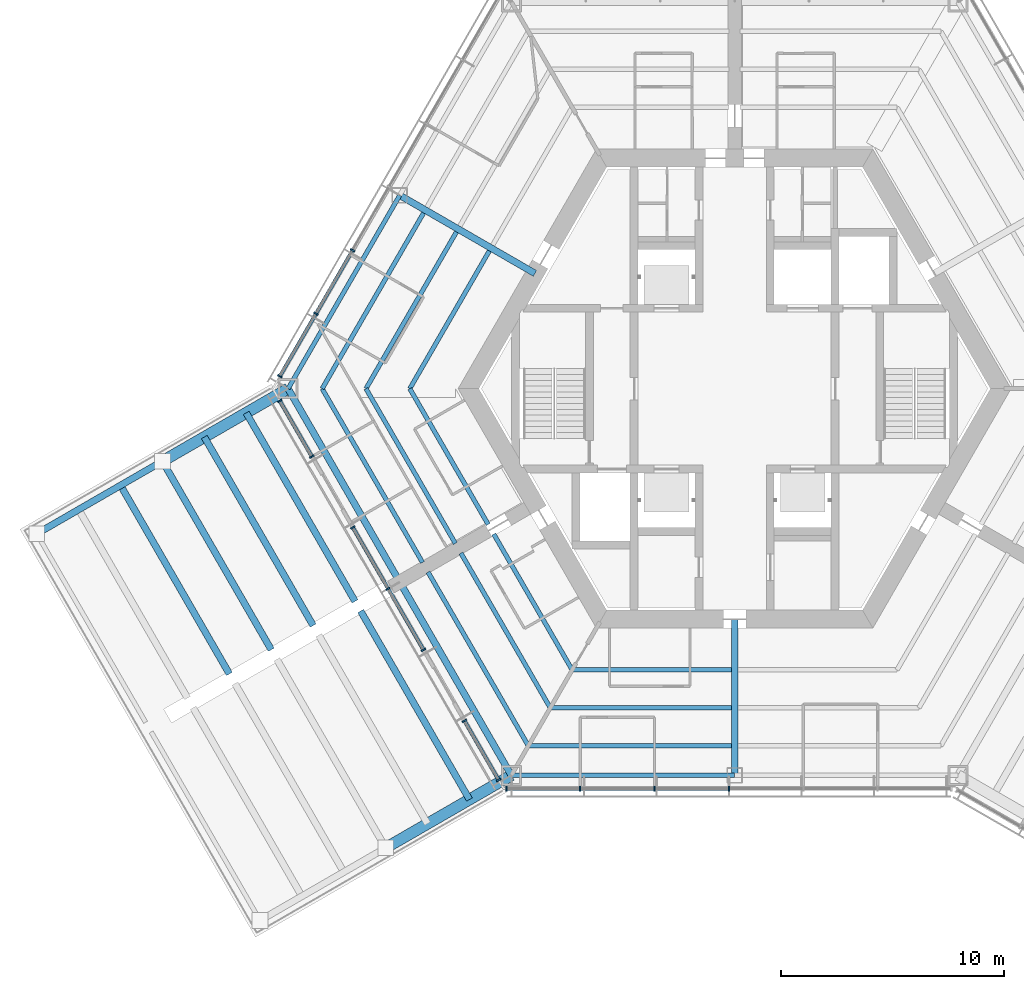
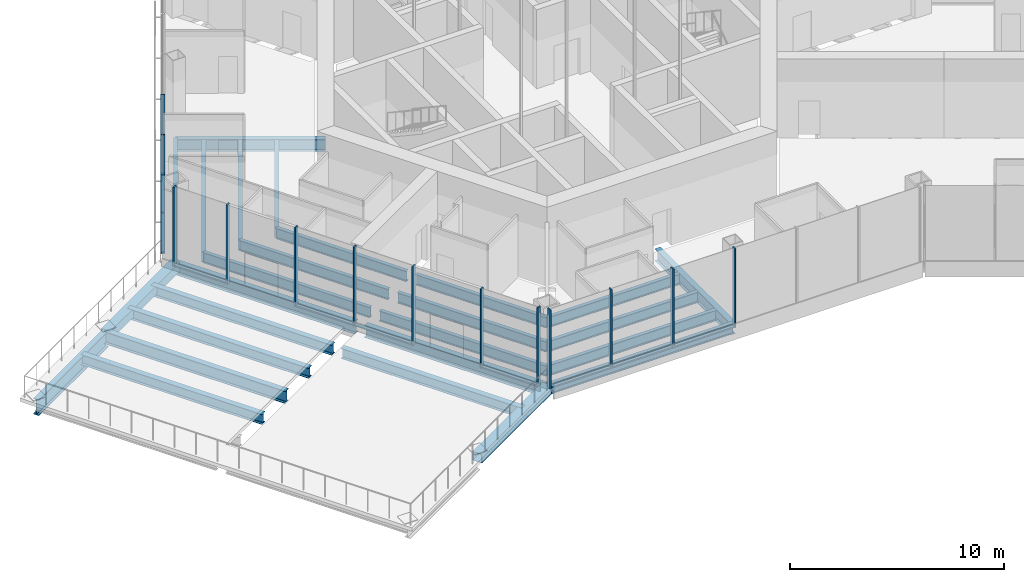
# One storey, part 2 of 17: 26 beams, 23 members, 5 elements without a shape of their own.
"""IFC4 building model written with IfcOpenShell, lengths in metres."""

from ifc_helpers import new_model, si_unit, direction, frame, origin, origin_2d, place, context, subcontext, project, spatial, rectangle, hollow_rectangle, i_section, extrude, material, material_profile, profile_set, type_object, element, aggregate, save


model = new_model("IFC4")

# Units and contexts
model_context = context("Model", 3, precision=1e-05, world=origin(), true_north=direction((0.0, 1.0)))
body_context = subcontext(model_context, "Body", "Model", "MODEL_VIEW")
ifc_project = project(units=[si_unit("LENGTHUNIT", "METRE"), si_unit("AREAUNIT", "SQUARE_METRE"), si_unit("VOLUMEUNIT", "CUBIC_METRE"), si_unit("PLANEANGLEUNIT", "RADIAN"), si_unit("MASSUNIT", "GRAM", prefix="KILO")], contexts=[model_context])

# Site, building, storey
site_placement = place(None, origin())
site = spatial("IfcSite", under=ifc_project, at=site_placement, CompositionType="ELEMENT")
building_placement = place(site_placement, origin())
building = spatial("IfcBuilding", under=site, at=building_placement, Name="Kasaneha Research Tower", CompositionType="ELEMENT")
storey_placement = place(building_placement, frame((0.0, 0.0, 208.300048828125)))
storey = spatial("IfcBuildingStorey", under=building, at=storey_placement, Name="L52", CompositionType="ELEMENT", Elevation=208.300048828125)

# Beams
ifc_material_1 = material(Name="Steel SN490B", Category="steel")
ifc_material_profile_1 = material_profile(ifc_material_1, i_section(OverallWidth=0.199951171875, OverallDepth=0.60009765625, WebThickness=0.010986328125, FlangeThickness=0.01708984375, FilletRadius=0.012939453125, at=origin_2d()), Name="H-600x200x11x17")
ifc_profile_set_1 = profile_set([ifc_material_profile_1], Name="Steel SN490B")
beam_type_1 = type_object("IfcBeamType", Name="B1-4 secondary beam H-600x200x11x17", PredefinedType="JOIST", material=ifc_profile_set_1)
beam_1_placement = place(storey_placement, frame((-14.54931640625, 0.0, -0.5), z_axis=(0.500016104636, 0.866016105569, 0.0), x_axis=(-0.866016105569, 0.500016104636, 0.0)))
element("IfcBeam", 1, at=beam_1_placement, inside=storey, type_object=beam_type_1, Name="Secondary beam RS150R1 L52", PredefinedType="JOIST", context=body_context, shape_type="SweptSolid", body=[
    extrude(i_section(OverallWidth=0.199951171875, OverallDepth=0.60009765625, WebThickness=0.010986328125, FlangeThickness=0.01708984375, FilletRadius=0.012939453125, at=origin_2d()), origin(), (0.0, 0.0, 1.0), 7.124755859375),
])
beam_2_placement = place(storey_placement, frame((-16.51220703125, 0.0, -0.5), z_axis=(0.49999707157, 0.866027094508, 0.0), x_axis=(-0.866027094508, 0.49999707157, 0.0)))
element("IfcBeam", 2, at=beam_2_placement, inside=storey, type_object=beam_type_1, Name="Secondary beam RS150R2 L52", PredefinedType="JOIST", context=body_context, shape_type="SweptSolid", body=[
    extrude(i_section(OverallWidth=0.199951171875, OverallDepth=0.60009765625, WebThickness=0.010986328125, FlangeThickness=0.01708984375, FilletRadius=0.012939453125, at=origin_2d()), origin(), (0.0, 0.0, 1.0), 8.10595703125),
])
beam_3_placement = place(storey_placement, frame((-18.47509765625, 0.0, -0.5), z_axis=(0.499990665392, 0.866030793056, 0.0), x_axis=(-0.866030793056, 0.499990665392, 0.0)))
element("IfcBeam", 3, at=beam_3_placement, inside=storey, type_object=beam_type_1, Name="Secondary beam RS150R3 L52", PredefinedType="JOIST", context=body_context, shape_type="SweptSolid", body=[
    extrude(i_section(OverallWidth=0.199951171875, OverallDepth=0.60009765625, WebThickness=0.010986328125, FlangeThickness=0.01708984375, FilletRadius=0.012939453125, at=origin_2d()), origin(), (0.0, 0.0, 1.0), 9.087646484375),
])
beam_4_placement = place(storey_placement, frame((-14.54931640625, 0.0, -0.5), z_axis=(0.500015274395, -0.866016584929, 0.0), x_axis=(0.866016584929, 0.500015274395, 0.0)))
element("IfcBeam", 4, at=beam_4_placement, inside=storey, type_object=beam_type_1, Name="Secondary beam RS210L1 L52", PredefinedType="JOIST", context=body_context, shape_type="SweptSolid", body=[
    extrude(i_section(OverallWidth=0.199951171875, OverallDepth=0.60009765625, WebThickness=0.010986328125, FlangeThickness=0.01708984375, FilletRadius=0.012939453125, at=origin_2d()), origin(), (0.0, 0.0, 1.0), 7.024658203125),
])
beam_5_placement = place(storey_placement, frame((-16.51220703125, 0.0, -0.5), z_axis=(0.499982900776, -0.866035275801, 0.0), x_axis=(0.866035275801, 0.499982900776, 0.0)))
element("IfcBeam", 5, at=beam_5_placement, inside=storey, type_object=beam_type_1, Name="Secondary beam RS210L2 L52", PredefinedType="JOIST", context=body_context, shape_type="SweptSolid", body=[
    extrude(i_section(OverallWidth=0.199951171875, OverallDepth=0.60009765625, WebThickness=0.010986328125, FlangeThickness=0.01708984375, FilletRadius=0.012939453125, at=origin_2d()), origin(), (0.0, 0.0, 1.0), 8.006103515625),
])
beam_6_placement = place(storey_placement, frame((-18.47509765625, 0.0, -0.5), z_axis=(0.49998973317, -0.866031331261, 0.0), x_axis=(0.866031331261, 0.49998973317, 0.0)))
element("IfcBeam", 6, at=beam_6_placement, inside=storey, type_object=beam_type_1, Name="Secondary beam RS210L3 L52", PredefinedType="JOIST", context=body_context, shape_type="SweptSolid", body=[
    extrude(i_section(OverallWidth=0.199951171875, OverallDepth=0.60009765625, WebThickness=0.010986328125, FlangeThickness=0.01708984375, FilletRadius=0.012939453125, at=origin_2d()), origin(), (0.0, 0.0, 1.0), 8.987548828125),
])
beam_7_placement = place(storey_placement, frame((-7.274658203125, -12.60009765625, -0.5), z_axis=(-0.499989208252, 0.866031634313, 0.0), x_axis=(-0.866031634313, -0.499989208252, 0.0)))
element("IfcBeam", 7, at=beam_7_placement, inside=storey, type_object=beam_type_1, Name="Secondary beam RS210R1 L52", PredefinedType="JOIST", context=body_context, shape_type="SweptSolid", body=[
    extrude(i_section(OverallWidth=0.199951171875, OverallDepth=0.60009765625, WebThickness=0.010986328125, FlangeThickness=0.01708984375, FilletRadius=0.012939453125, at=origin_2d()), origin(), (0.0, 0.0, 1.0), 7.024658203125),
])
beam_8_placement = place(storey_placement, frame((-8.256103515625, -14.300048828125, -0.5), z_axis=(-0.500005771424, 0.866022071626, 0.0), x_axis=(-0.866022071626, -0.500005771424, 0.0)))
element("IfcBeam", 8, at=beam_8_placement, inside=storey, type_object=beam_type_1, Name="Secondary beam RS210R2 L52", PredefinedType="JOIST", context=body_context, shape_type="SweptSolid", body=[
    extrude(i_section(OverallWidth=0.199951171875, OverallDepth=0.60009765625, WebThickness=0.010986328125, FlangeThickness=0.01708984375, FilletRadius=0.012939453125, at=origin_2d()), origin(), (0.0, 0.0, 1.0), 8.00634765625),
])
beam_9_placement = place(storey_placement, frame((-9.237548828125, -16.0, -0.5), z_axis=(-0.500010106406, 0.866019568769, 0.0), x_axis=(-0.866019568769, -0.500010106406, 0.0)))
element("IfcBeam", 9, at=beam_9_placement, inside=storey, type_object=beam_type_1, Name="Secondary beam RS210R3 L52", PredefinedType="JOIST", context=body_context, shape_type="SweptSolid", body=[
    extrude(i_section(OverallWidth=0.199951171875, OverallDepth=0.60009765625, WebThickness=0.010986328125, FlangeThickness=0.01708984375, FilletRadius=0.012939453125, at=origin_2d()), origin(), (0.0, 0.0, 1.0), 8.987548828125),
])
beam_10_placement = place(storey_placement, frame((-7.274658203125, -12.60009765625, -0.5), z_axis=(1.0, 0.0, 0.0), x_axis=(0.0, 1.0, 0.0)))
element("IfcBeam", 10, at=beam_10_placement, inside=storey, type_object=beam_type_1, Name="Secondary beam RS270L1 L52", PredefinedType="JOIST", context=body_context, shape_type="SweptSolid", body=[
    extrude(i_section(OverallWidth=0.199951171875, OverallDepth=0.60009765625, WebThickness=0.010986328125, FlangeThickness=0.01708984375, FilletRadius=0.012939453125, at=origin_2d()), origin(), (0.0, 0.0, 1.0), 7.124755859375),
])
beam_11_placement = place(storey_placement, frame((-8.256103515625, -14.300048828125, -0.5), z_axis=(1.0, 0.0, 0.0), x_axis=(0.0, 1.0, 0.0)))
element("IfcBeam", 11, at=beam_11_placement, inside=storey, type_object=beam_type_1, Name="Secondary beam RS270L2 L52", PredefinedType="JOIST", context=body_context, shape_type="SweptSolid", body=[
    extrude(i_section(OverallWidth=0.199951171875, OverallDepth=0.60009765625, WebThickness=0.010986328125, FlangeThickness=0.01708984375, FilletRadius=0.012939453125, at=origin_2d()), origin(), (0.0, 0.0, 1.0), 8.106201171875),
])
beam_12_placement = place(storey_placement, frame((-9.237548828125, -16.0, -0.5), z_axis=(1.0, 0.0, 0.0), x_axis=(0.0, 1.0, 0.0)))
element("IfcBeam", 12, at=beam_12_placement, inside=storey, type_object=beam_type_1, Name="Secondary beam RS270L3 L52", PredefinedType="JOIST", context=body_context, shape_type="SweptSolid", body=[
    extrude(i_section(OverallWidth=0.199951171875, OverallDepth=0.60009765625, WebThickness=0.010986328125, FlangeThickness=0.01708984375, FilletRadius=0.012939453125, at=origin_2d()), origin(), (0.0, 0.0, 1.0), 9.087646484375),
])
ifc_material_2 = material(Name="Steel SN490B", Category="steel")
ifc_material_profile_2 = material_profile(ifc_material_2, i_section(OverallWidth=0.300048828125, OverallDepth=0.58203125, WebThickness=0.011962890625, FlangeThickness=0.01708984375, FilletRadius=0.012939453125, at=origin_2d()), Name="H-582x300x12x17")
ifc_profile_set_2 = profile_set([ifc_material_profile_2], Name="Steel SN490B")
beam_type_2 = type_object("IfcBeamType", Name="B2-4 secondary beam H-582x300x12x17", PredefinedType="JOIST", material=ifc_profile_set_2)
beam_13_placement = place(storey_placement, frame((-21.87646484375, -1.083251953125, -0.490966796875), z_axis=(0.499995560238, -0.866027967067, 0.0), x_axis=(0.866027967067, 0.499995560238, 0.0)))
element("IfcBeam", 13, at=beam_13_placement, inside=storey, type_object=beam_type_2, Name="Secondary beam WBBP1 L52", PredefinedType="JOIST", context=body_context, shape_type="SweptSolid", body=[
    extrude(i_section(OverallWidth=0.300048828125, OverallDepth=0.58203125, WebThickness=0.011962890625, FlangeThickness=0.01708984375, FilletRadius=0.012939453125, at=origin_2d()), origin(), (0.0, 0.0, 1.0), 9.75),
])
beam_14_placement = place(storey_placement, frame((-23.752685546875, -2.166748046875, -0.490966796875), z_axis=(0.500006402939, -0.866021707014, 0.0), x_axis=(0.866021707014, 0.500006402939, 0.0)))
element("IfcBeam", 14, at=beam_14_placement, inside=storey, type_object=beam_type_2, Name="Secondary beam WBBP2 L52", PredefinedType="JOIST", context=body_context, shape_type="SweptSolid", body=[
    extrude(i_section(OverallWidth=0.300048828125, OverallDepth=0.58203125, WebThickness=0.011962890625, FlangeThickness=0.01708984375, FilletRadius=0.012939453125, at=origin_2d()), origin(), (0.0, 0.0, 1.0), 9.749755859375),
])
beam_15_placement = place(storey_placement, frame((-27.505615234375, -4.333251953125, -0.490966796875), z_axis=(0.499995560238, -0.866027967067, 0.0), x_axis=(0.866027967067, 0.499995560238, 0.0)))
element("IfcBeam", 15, at=beam_15_placement, inside=storey, type_object=beam_type_2, Name="Secondary beam WBBP3 L52", PredefinedType="JOIST", context=body_context, shape_type="SweptSolid", body=[
    extrude(i_section(OverallWidth=0.300048828125, OverallDepth=0.58203125, WebThickness=0.011962890625, FlangeThickness=0.01708984375, FilletRadius=0.012939453125, at=origin_2d()), origin(), (0.0, 0.0, 1.0), 9.75),
])
beam_16_placement = place(storey_placement, frame((-11.87646484375, -18.40380859375, -0.490966796875), z_axis=(-0.500006402939, 0.866021707014, 0.0), x_axis=(-0.866021707014, -0.500006402939, 0.0)))
element("IfcBeam", 16, at=beam_16_placement, inside=storey, type_object=beam_type_2, Name="Secondary beam WBBN1 L52", PredefinedType="JOIST", context=body_context, shape_type="SweptSolid", body=[
    extrude(i_section(OverallWidth=0.300048828125, OverallDepth=0.58203125, WebThickness=0.011962890625, FlangeThickness=0.01708984375, FilletRadius=0.012939453125, at=origin_2d()), origin(), (0.0, 0.0, 1.0), 9.749755859375),
])
ifc_material_3 = material(Name="Steel SN490B", Category="steel")
ifc_material_profile_3 = material_profile(ifc_material_3, hollow_rectangle(XDim=0.5, YDim=0.5, WallThickness=0.02197265625, at=origin_2d()), Name="BOX-500x500x22")
ifc_profile_set_3 = profile_set([ifc_material_profile_3], Name="Steel SN490B")
beam_type_3 = type_object("IfcBeamType", Name="BC1-4 belt chord BOX-500x500x22", PredefinedType="BEAM", material=ifc_profile_set_3)
for number, where, z_axis, x_axis, name in (
    (17, (-20.0, 0.0, -0.449951171875), (-0.866024837091, -0.50000098154, 0.0), (0.50000098154, -0.866024837091, 0.0), "Belt chord WSBP1 L52"),
    (18, (-10.0, -17.320556640625, -0.449951171875), (-0.866024837091, -0.50000098154, 0.0), (0.50000098154, -0.866024837091, 0.0), "Belt chord WSBN1 L52"),
):
    element("IfcBeam", number, at=place(storey_placement, frame(where, z_axis=z_axis, x_axis=x_axis)), inside=storey, type_object=beam_type_3, Name=name, PredefinedType="BEAM", context=body_context, shape_type="SweptSolid", body=[
        extrude(hollow_rectangle(XDim=0.5, YDim=0.5, WallThickness=0.02197265625, at=origin_2d()), origin(), (0.0, 0.0, 1.0), 6.5),
    ])

# Curtain wall, members
ifc_material_4 = material(Name="Glass and aluminium", Category="aluminium")
curtain_wall_type = type_object("IfcCurtainWallType", Name="Sky lobby curtain wall", PredefinedType="USERDEFINED", material=ifc_material_4)
curtain_wall_1_placement = place(storey_placement, origin())
curtain_wall_1 = element("IfcCurtainWall", 19, at=curtain_wall_1_placement, inside=storey, type_object=curtain_wall_type, Name="CW-S L52 run 03a", ObjectType="UNITISED CURTAIN WALL", PredefinedType="USERDEFINED")
ifc_material_5 = material(Name="Aluminium 6063-T6", Category="aluminium")
ifc_material_profile_4 = material_profile(ifc_material_5, rectangle(XDim=0.070068359375, YDim=0.219970703125, at=origin_2d()), Name="CW-S mullion 70x220")
ifc_profile_set_4 = profile_set([ifc_material_profile_4], Name="Aluminium 6063-T6")
member_type_1 = type_object("IfcMemberType", Name="CW-S mullion", PredefinedType="MULLION", material=ifc_profile_set_4)
member_1_placement = place(storey_placement, frame((-17.112548828125, 6.201171875, 0.0), z_axis=(0.0, 0.0, 1.0), x_axis=(-0.499999995722, -0.866025406254, 0.0)))
member_1 = element("IfcMember", 20, at=member_1_placement, type_object=member_type_1, Name="CW-S mullion 5", PredefinedType="MULLION", context=body_context, shape_type="SweptSolid", body=[
    extrude(rectangle(XDim=0.070068359375, YDim=0.219970703125, at=origin_2d()), origin(), (0.0, 0.0, 1.0), 4.5),
])
member_2_placement = place(storey_placement, frame((-18.751953125, 3.36181640625, 0.0), z_axis=(0.0, 0.0, 1.0), x_axis=(-0.499999995722, -0.866025406254, 0.0)))
member_2 = element("IfcMember", 21, at=member_2_placement, type_object=member_type_1, Name="CW-S mullion 6", PredefinedType="MULLION", context=body_context, shape_type="SweptSolid", body=[
    extrude(rectangle(XDim=0.070068359375, YDim=0.219970703125, at=origin_2d()), origin(), (0.0, 0.0, 1.0), 4.5),
])
member_3_placement = place(storey_placement, frame((-20.373779296875, 0.552734375, 0.0), z_axis=(0.0, 0.0, 1.0), x_axis=(-0.499999995722, -0.866025406254, 0.0)))
member_3 = element("IfcMember", 22, at=member_3_placement, type_object=member_type_1, Name="CW-S mullion 7", PredefinedType="MULLION", context=body_context, shape_type="SweptSolid", body=[
    extrude(rectangle(XDim=0.070068359375, YDim=0.219970703125, at=origin_2d()), origin(), (0.0, 0.0, 1.0), 4.5),
])

curtain_wall_2_placement = place(storey_placement, origin())
curtain_wall_2 = element("IfcCurtainWall", 23, at=curtain_wall_2_placement, inside=storey, type_object=curtain_wall_type, Name="CW-S L52 run 04a", ObjectType="UNITISED CURTAIN WALL", PredefinedType="USERDEFINED")
member_4_placement = place(storey_placement, frame((-20.373779296875, -0.552734375, 0.0), z_axis=(0.0, 0.0, 1.0), x_axis=(0.499999995722, -0.866025406254, 0.0)))
member_4 = element("IfcMember", 24, at=member_4_placement, type_object=member_type_1, Name="CW-S mullion 1", PredefinedType="MULLION", context=body_context, shape_type="SweptSolid", body=[
    extrude(rectangle(XDim=0.070068359375, YDim=0.219970703125, at=origin_2d()), origin(), (0.0, 0.0, 1.0), 4.5),
])
member_5_placement = place(storey_placement, frame((-18.93701171875, -3.041015625, 0.0), z_axis=(0.0, 0.0, 1.0), x_axis=(0.499999995722, -0.866025406254, 0.0)))
member_5 = element("IfcMember", 25, at=member_5_placement, type_object=member_type_1, Name="CW-S mullion 2", PredefinedType="MULLION", context=body_context, shape_type="SweptSolid", body=[
    extrude(rectangle(XDim=0.070068359375, YDim=0.219970703125, at=origin_2d()), origin(), (0.0, 0.0, 1.0), 4.5),
])

curtain_wall_3_placement = place(storey_placement, origin())
curtain_wall_3 = element("IfcCurtainWall", 26, at=curtain_wall_3_placement, inside=storey, type_object=curtain_wall_type, Name="CW-S L52 run 04c", ObjectType="UNITISED CURTAIN WALL", PredefinedType="USERDEFINED")
member_6_placement = place(storey_placement, frame((-17.10205078125, -6.21923828125, 0.0), z_axis=(0.0, 0.0, 1.0), x_axis=(0.499999995722, -0.866025406254, 0.0)))
member_6 = element("IfcMember", 27, at=member_6_placement, type_object=member_type_1, Name="CW-S mullion 1", PredefinedType="MULLION", context=body_context, shape_type="SweptSolid", body=[
    extrude(rectangle(XDim=0.070068359375, YDim=0.219970703125, at=origin_2d()), origin(), (0.0, 0.0, 1.0), 4.5),
])
member_7_placement = place(storey_placement, frame((-15.51953125, -8.960205078125, 0.0), z_axis=(0.0, 0.0, 1.0), x_axis=(0.499999995722, -0.866025406254, 0.0)))
member_7 = element("IfcMember", 28, at=member_7_placement, type_object=member_type_1, Name="CW-S mullion 2", PredefinedType="MULLION", context=body_context, shape_type="SweptSolid", body=[
    extrude(rectangle(XDim=0.070068359375, YDim=0.219970703125, at=origin_2d()), origin(), (0.0, 0.0, 1.0), 4.5),
])
member_8_placement = place(storey_placement, frame((-13.93701171875, -11.701171875, 0.0), z_axis=(0.0, 0.0, 1.0), x_axis=(0.499999995722, -0.866025406254, 0.0)))
member_8 = element("IfcMember", 29, at=member_8_placement, type_object=member_type_1, Name="CW-S mullion 3", PredefinedType="MULLION", context=body_context, shape_type="SweptSolid", body=[
    extrude(rectangle(XDim=0.070068359375, YDim=0.219970703125, at=origin_2d()), origin(), (0.0, 0.0, 1.0), 4.5),
])

curtain_wall_4_placement = place(storey_placement, origin())
curtain_wall_4 = element("IfcCurtainWall", 30, at=curtain_wall_4_placement, inside=storey, type_object=curtain_wall_type, Name="CW-S L52 run 04e", ObjectType="UNITISED CURTAIN WALL", PredefinedType="USERDEFINED")
member_9_placement = place(storey_placement, frame((-12.10205078125, -14.879638671875, 0.0), z_axis=(0.0, 0.0, 1.0), x_axis=(0.499999995722, -0.866025406254, 0.0)))
member_9 = element("IfcMember", 31, at=member_9_placement, type_object=member_type_1, Name="CW-S mullion 1", PredefinedType="MULLION", context=body_context, shape_type="SweptSolid", body=[
    extrude(rectangle(XDim=0.070068359375, YDim=0.219970703125, at=origin_2d()), origin(), (0.0, 0.0, 1.0), 4.5),
])
member_10_placement = place(storey_placement, frame((-10.57275390625, -17.528564453125, 0.0), z_axis=(0.0, 0.0, 1.0), x_axis=(0.499999995722, -0.866025406254, 0.0)))
member_10 = element("IfcMember", 32, at=member_10_placement, type_object=member_type_1, Name="CW-S mullion 2", PredefinedType="MULLION", context=body_context, shape_type="SweptSolid", body=[
    extrude(rectangle(XDim=0.070068359375, YDim=0.219970703125, at=origin_2d()), origin(), (0.0, 0.0, 1.0), 4.5),
])

curtain_wall_5_placement = place(storey_placement, origin())
curtain_wall_5 = element("IfcCurtainWall", 33, at=curtain_wall_5_placement, inside=storey, type_object=curtain_wall_type, Name="CW-S L52 run 05a", ObjectType="UNITISED CURTAIN WALL", PredefinedType="USERDEFINED")
member_11_placement = place(storey_placement, frame((-10.21142578125, -17.92041015625, 0.0), z_axis=(0.0, 0.0, 1.0), x_axis=(1.0, 0.0, 0.0)))
member_11 = element("IfcMember", 34, at=member_11_placement, type_object=member_type_1, Name="CW-S mullion 1", PredefinedType="MULLION", context=body_context, shape_type="SweptSolid", body=[
    extrude(rectangle(XDim=0.070068359375, YDim=0.219970703125, at=origin_2d()), origin(), (0.0, 0.0, 1.0), 4.5),
])
member_12_placement = place(storey_placement, frame((-6.91552734375, -17.92041015625, 0.0), z_axis=(0.0, 0.0, 1.0), x_axis=(1.0, 0.0, 0.0)))
member_12 = element("IfcMember", 35, at=member_12_placement, type_object=member_type_1, Name="CW-S mullion 2", PredefinedType="MULLION", context=body_context, shape_type="SweptSolid", body=[
    extrude(rectangle(XDim=0.070068359375, YDim=0.219970703125, at=origin_2d()), origin(), (0.0, 0.0, 1.0), 4.5),
])
member_13_placement = place(storey_placement, frame((-3.58447265625, -17.92041015625, 0.0), z_axis=(0.0, 0.0, 1.0), x_axis=(1.0, 0.0, 0.0)))
member_13 = element("IfcMember", 36, at=member_13_placement, type_object=member_type_1, Name="CW-S mullion 3", PredefinedType="MULLION", context=body_context, shape_type="SweptSolid", body=[
    extrude(rectangle(XDim=0.070068359375, YDim=0.219970703125, at=origin_2d()), origin(), (0.0, 0.0, 1.0), 4.5),
])
member_14_placement = place(storey_placement, frame((-0.253662109375, -17.92041015625, 0.0), z_axis=(0.0, 0.0, 1.0), x_axis=(1.0, 0.0, 0.0)))
member_14 = element("IfcMember", 37, at=member_14_placement, type_object=member_type_1, Name="CW-S mullion 4", PredefinedType="MULLION", context=body_context, shape_type="SweptSolid", body=[
    extrude(rectangle(XDim=0.070068359375, YDim=0.219970703125, at=origin_2d()), origin(), (0.0, 0.0, 1.0), 4.5),
])

# Member
ifc_material_6 = material(Name="Aluminium 6063-T6", Category="aluminium")
ifc_material_profile_5 = material_profile(ifc_material_6, rectangle(XDim=0.159912109375, YDim=0.070068359375, at=origin_2d()), Name="CW-S transom 160x70")
ifc_profile_set_5 = profile_set([ifc_material_profile_5], Name="Aluminium 6063-T6")
member_type_2 = type_object("IfcMemberType", Name="CW-S transom", PredefinedType="USERDEFINED", material=ifc_profile_set_5)
member_15_placement = place(storey_placement, frame((-17.130126953125, 6.1708984375, 0.034912109375), z_axis=(-0.4999771297, -0.866038607556, 0.0), x_axis=(0.866038607556, -0.4999771297, 0.0)))
member_15 = element("IfcMember", 38, at=member_15_placement, type_object=member_type_2, Name="CW-S transom 5", ObjectType="TRANSOM", PredefinedType="USERDEFINED", context=body_context, shape_type="SweptSolid", body=[
    extrude(rectangle(XDim=0.159912109375, YDim=0.070068359375, at=origin_2d()), origin(), (0.0, 0.0, 1.0), 3.208740234375),
])

member_16_placement = place(storey_placement, frame((-18.76953125, 3.331298828125, 0.034912109375), z_axis=(-0.499986614762, -0.866033131617, 0.0), x_axis=(0.866033131617, -0.499986614762, 0.0)))
member_16 = element("IfcMember", 39, at=member_16_placement, type_object=member_type_2, Name="CW-S transom 6", ObjectType="TRANSOM", PredefinedType="USERDEFINED", context=body_context, shape_type="SweptSolid", body=[
    extrude(rectangle(XDim=0.159912109375, YDim=0.070068359375, at=origin_2d()), origin(), (0.0, 0.0, 1.0), 3.17333984375),
])

aggregate(curtain_wall_1, [member_1, member_2, member_3, member_15, member_16])

member_17_placement = place(storey_placement, frame((-20.356201171875, -0.5830078125, 0.034912109375), z_axis=(0.499988825533, -0.86603185527, 0.0), x_axis=(0.86603185527, 0.499988825533, 0.0)))
member_17 = element("IfcMember", 40, at=member_17_placement, type_object=member_type_2, Name="CW-S transom 1", ObjectType="TRANSOM", PredefinedType="USERDEFINED", context=body_context, shape_type="SweptSolid", body=[
    extrude(rectangle(XDim=0.159912109375, YDim=0.070068359375, at=origin_2d()), origin(), (0.0, 0.0, 1.0), 2.80322265625),
])

aggregate(curtain_wall_2, [member_4, member_5, member_17])

member_18_placement = place(storey_placement, frame((-17.084716796875, -6.24951171875, 0.034912109375), z_axis=(0.50001605548, -0.86601613395, 0.0), x_axis=(0.86601613395, 0.50001605548, 0.0)))
member_18 = element("IfcMember", 41, at=member_18_placement, type_object=member_type_2, Name="CW-S transom 1", ObjectType="TRANSOM", PredefinedType="USERDEFINED", context=body_context, shape_type="SweptSolid", body=[
    extrude(rectangle(XDim=0.159912109375, YDim=0.070068359375, at=origin_2d()), origin(), (0.0, 0.0, 1.0), 3.09521484375),
])

member_19_placement = place(storey_placement, frame((-15.502197265625, -8.990478515625, 0.034912109375), z_axis=(0.50001605548, -0.86601613395, 0.0), x_axis=(0.86601613395, 0.50001605548, 0.0)))
member_19 = element("IfcMember", 42, at=member_19_placement, type_object=member_type_2, Name="CW-S transom 2", ObjectType="TRANSOM", PredefinedType="USERDEFINED", context=body_context, shape_type="SweptSolid", body=[
    extrude(rectangle(XDim=0.159912109375, YDim=0.070068359375, at=origin_2d()), origin(), (0.0, 0.0, 1.0), 3.09521484375),
])

aggregate(curtain_wall_3, [member_6, member_7, member_8, member_18, member_19])

member_20_placement = place(storey_placement, frame((-12.084716796875, -14.909912109375, 0.034912109375), z_axis=(0.500031234042, -0.866007370051, 0.0), x_axis=(0.866007370051, 0.500031234042, 0.0)))
member_20 = element("IfcMember", 43, at=member_20_placement, type_object=member_type_2, Name="CW-S transom 1", ObjectType="TRANSOM", PredefinedType="USERDEFINED", context=body_context, shape_type="SweptSolid", body=[
    extrude(rectangle(XDim=0.159912109375, YDim=0.070068359375, at=origin_2d()), origin(), (0.0, 0.0, 1.0), 2.988525390625),
])

aggregate(curtain_wall_4, [member_9, member_10, member_20])

member_21_placement = place(storey_placement, frame((-10.176513671875, -17.92041015625, 0.034912109375), z_axis=(1.0, 0.0, 0.0), x_axis=(0.0, 1.0, 0.0)))
member_21 = element("IfcMember", 44, at=member_21_placement, type_object=member_type_2, Name="CW-S transom 1", ObjectType="TRANSOM", PredefinedType="USERDEFINED", context=body_context, shape_type="SweptSolid", body=[
    extrude(rectangle(XDim=0.159912109375, YDim=0.070068359375, at=origin_2d()), origin(), (0.0, 0.0, 1.0), 3.22607421875),
])

member_22_placement = place(storey_placement, frame((-6.88037109375, -17.92041015625, 0.034912109375), z_axis=(1.0, 0.0, 0.0), x_axis=(0.0, 1.0, 0.0)))
member_22 = element("IfcMember", 45, at=member_22_placement, type_object=member_type_2, Name="CW-S transom 2", ObjectType="TRANSOM", PredefinedType="USERDEFINED", context=body_context, shape_type="SweptSolid", body=[
    extrude(rectangle(XDim=0.159912109375, YDim=0.070068359375, at=origin_2d()), origin(), (0.0, 0.0, 1.0), 3.2607421875),
])

member_23_placement = place(storey_placement, frame((-3.549560546875, -17.92041015625, 0.034912109375), z_axis=(1.0, 0.0, 0.0), x_axis=(0.0, 1.0, 0.0)))
member_23 = element("IfcMember", 46, at=member_23_placement, type_object=member_type_2, Name="CW-S transom 3", ObjectType="TRANSOM", PredefinedType="USERDEFINED", context=body_context, shape_type="SweptSolid", body=[
    extrude(rectangle(XDim=0.159912109375, YDim=0.070068359375, at=origin_2d()), origin(), (0.0, 0.0, 1.0), 3.260986328125),
])

aggregate(curtain_wall_5, [member_11, member_12, member_13, member_14, member_21, member_22, member_23])

# Beams
ifc_material_7 = material(Name="Steel SN490B", Category="steel")
ifc_material_profile_6 = material_profile(ifc_material_7, i_section(OverallWidth=0.300048828125, OverallDepth=0.69189453125, WebThickness=0.012939453125, FlangeThickness=0.02001953125, FilletRadius=0.01806640625, at=origin_2d()), Name="H-692x300x13x20")
ifc_profile_set_6 = profile_set([ifc_material_profile_6], Name="Steel SN490B")
beam_type_4 = type_object("IfcBeamType", Name="G2-4 radial girder H-692x300x13x20", PredefinedType="BEAM", material=ifc_profile_set_6)
beam_17_placement = place(storey_placement, frame((-8.941650390625, 5.16259765625, -0.546142578125), z_axis=(-0.866039713508, 0.499975214012, 0.0), x_axis=(-0.499975214012, -0.866039713508, 0.0)))
element("IfcBeam", 47, at=beam_17_placement, inside=storey, type_object=beam_type_4, Name="Radial girder RM150 L52", PredefinedType="BEAM", context=body_context, shape_type="SweptSolid", body=[
    extrude(i_section(OverallWidth=0.300048828125, OverallDepth=0.69189453125, WebThickness=0.012939453125, FlangeThickness=0.02001953125, FilletRadius=0.01806640625, at=origin_2d()), origin(), (0.0, 0.0, 1.0), 6.995361328125),
])
beam_18_placement = place(storey_placement, frame((0.0, -10.324951171875, -0.546142578125), z_axis=(0.0, -1.0, 0.0), x_axis=(1.0, 0.0, 0.0)))
element("IfcBeam", 48, at=beam_18_placement, inside=storey, type_object=beam_type_4, Name="Radial girder RM270 L52", PredefinedType="BEAM", context=body_context, shape_type="SweptSolid", body=[
    extrude(i_section(OverallWidth=0.300048828125, OverallDepth=0.69189453125, WebThickness=0.012939453125, FlangeThickness=0.02001953125, FilletRadius=0.01806640625, at=origin_2d()), origin(), (0.0, 0.0, 1.0), 6.99560546875),
])
ifc_material_8 = material(Name="Steel SN490B", Category="steel")
ifc_material_profile_7 = material_profile(ifc_material_8, i_section(OverallWidth=0.300048828125, OverallDepth=0.69189453125, WebThickness=0.012939453125, FlangeThickness=0.02001953125, FilletRadius=0.01806640625, at=origin_2d()), Name="H-692x300x13x20")
ifc_profile_set_7 = profile_set([ifc_material_profile_7], Name="Steel SN490B")
beam_type_5 = type_object("IfcBeamType", Name="G3-4 plate edge girder H-692x300x13x20", PredefinedType="BEAM", material=ifc_profile_set_7)
for number, where, z_axis, x_axis, name in (
    (49, (-20.0, 0.0, -0.546142578125), (0.499995560238, -0.866027967067, 0.0), (0.866027967067, 0.499995560238, 0.0), "Plate edge girder PEBP L52"),
    (50, (-10.0, -17.320556640625, -0.546142578125), (-0.499995560238, 0.866027967067, 0.0), (-0.866027967067, -0.499995560238, 0.0), "Plate edge girder PEBN L52"),
):
    element("IfcBeam", number, at=place(storey_placement, frame(where, z_axis=z_axis, x_axis=x_axis)), inside=storey, type_object=beam_type_5, Name=name, PredefinedType="BEAM", context=body_context, shape_type="SweptSolid", body=[
        extrude(i_section(OverallWidth=0.300048828125, OverallDepth=0.69189453125, WebThickness=0.012939453125, FlangeThickness=0.02001953125, FilletRadius=0.01806640625, at=origin_2d()), origin(), (0.0, 0.0, 1.0), 9.75),
    ])
ifc_material_9 = material(Name="Steel SN490B", Category="steel")
ifc_material_profile_8 = material_profile(ifc_material_9, i_section(OverallWidth=0.300048828125, OverallDepth=0.699951171875, WebThickness=0.012939453125, FlangeThickness=0.02392578125, FilletRadius=0.01806640625, at=origin_2d()), Name="H-700x300x13x24")
ifc_profile_set_8 = profile_set([ifc_material_profile_8], Name="Steel SN490B")
beam_type_6 = type_object("IfcBeamType", Name="G4-4 wing girder H-700x300x13x24", PredefinedType="BEAM", material=ifc_profile_set_8)
beam_19_placement = place(storey_placement, frame((-25.629150390625, -3.25, -0.550048828125), z_axis=(0.499995560238, -0.866027967067, 0.0), x_axis=(0.866027967067, 0.499995560238, 0.0)))
element("IfcBeam", 51, at=beam_19_placement, inside=storey, type_object=beam_type_6, Name="Wing girder WGBP L52", PredefinedType="BEAM", context=body_context, shape_type="SweptSolid", body=[
    extrude(i_section(OverallWidth=0.300048828125, OverallDepth=0.699951171875, WebThickness=0.012939453125, FlangeThickness=0.02392578125, FilletRadius=0.01806640625, at=origin_2d()), origin(), (0.0, 0.0, 1.0), 9.75),
])
ifc_material_10 = material(Name="Steel SN490B", Category="steel")
ifc_material_profile_9 = material_profile(ifc_material_10, i_section(OverallWidth=0.198974609375, OverallDepth=0.595947265625, WebThickness=0.010009765625, FlangeThickness=0.014892578125, FilletRadius=0.012939453125, at=origin_2d()), Name="H-596x199x10x15")
ifc_profile_set_9 = profile_set([ifc_material_profile_9], Name="Steel SN490B")
beam_type_7 = type_object("IfcBeamType", Name="SB1-4 spandrel beam H-596x199x10x15", PredefinedType="SPANDREL", material=ifc_profile_set_9)
for number, where, z_axis, x_axis, name in (
    (52, (-20.0, 0.0, -0.498046875), (0.500004234368, 0.866022959057, 0.0), (-0.866022959057, 0.500004234368, 0.0), "Spandrel beam SR150R L52"),
    (53, (-10.0, -17.320556640625, -0.498046875), (1.0, 0.0, 0.0), (0.0, 1.0, 0.0), "Spandrel beam SR270L L52"),
):
    element("IfcBeam", number, at=place(storey_placement, frame(where, z_axis=z_axis, x_axis=x_axis)), inside=storey, type_object=beam_type_7, Name=name, PredefinedType="SPANDREL", context=body_context, shape_type="SweptSolid", body=[
        extrude(i_section(OverallWidth=0.198974609375, OverallDepth=0.595947265625, WebThickness=0.010009765625, FlangeThickness=0.014892578125, FilletRadius=0.012939453125, at=origin_2d()), origin(), (0.0, 0.0, 1.0), 10.0),
    ])
ifc_material_11 = material(Name="Steel SN490B", Category="steel")
ifc_material_profile_10 = material_profile(ifc_material_11, i_section(OverallWidth=0.300048828125, OverallDepth=0.89990234375, WebThickness=0.01611328125, FlangeThickness=0.028076171875, FilletRadius=0.01806640625, at=origin_2d()), Name="H-900x300x16x28")
ifc_profile_set_10 = profile_set([ifc_material_profile_10], Name="Steel SN490B")
beam_type_8 = type_object("IfcBeamType", Name="SB2-4 spandrel beam H-900x300x16x28", PredefinedType="SPANDREL", material=ifc_profile_set_10)
beam_20_placement = place(storey_placement, frame((-25.629150390625, -3.25, -0.650146484375), z_axis=(-0.866024837091, -0.50000098154, 0.0), x_axis=(0.50000098154, -0.866024837091, 0.0)))
element("IfcBeam", 54, at=beam_20_placement, inside=storey, type_object=beam_type_8, Name="Spandrel beam WSBP2 L52", PredefinedType="SPANDREL", context=body_context, shape_type="SweptSolid", body=[
    extrude(i_section(OverallWidth=0.300048828125, OverallDepth=0.89990234375, WebThickness=0.01611328125, FlangeThickness=0.028076171875, FilletRadius=0.01806640625, at=origin_2d()), origin(), (0.0, 0.0, 1.0), 6.5),
])

save(model, "model.ifc")
